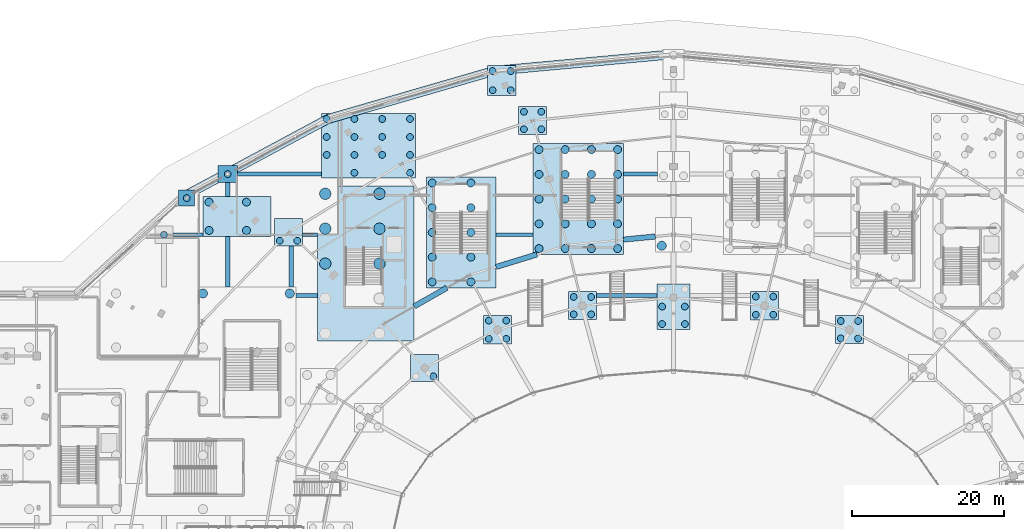
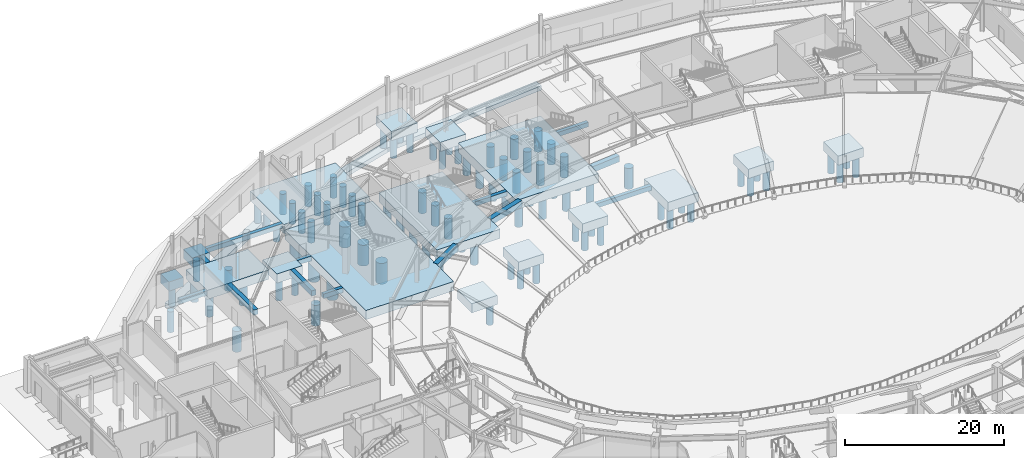
# One storey, part 4 of 93: 91 piles, 32 footings.
"""IFC4 building model written with IfcOpenShell, lengths in metres."""

from ifc_helpers import new_model, si_unit, direction, frame, origin, origin_2d, place, context, subcontext, project, spatial, polyline, rectangle, circle, outline, extrude, material, material_profile, profile_set, type_object, element, save


model = new_model("IFC4")

# Units and contexts
model_context = context("Model", 3, precision=1e-05, world=origin(), true_north=direction((0.0, 1.0)))
body_context = subcontext(model_context, "Body", "Model", "MODEL_VIEW")
ifc_project = project(units=[si_unit("LENGTHUNIT", "METRE"), si_unit("AREAUNIT", "SQUARE_METRE"), si_unit("VOLUMEUNIT", "CUBIC_METRE"), si_unit("PLANEANGLEUNIT", "RADIAN"), si_unit("MASSUNIT", "GRAM", prefix="KILO")], contexts=[model_context])

# Site, building, storey
site_placement = place(None, origin())
site = spatial("IfcSite", under=ifc_project, at=site_placement, CompositionType="ELEMENT")
building_placement = place(site_placement, origin())
building = spatial("IfcBuilding", under=site, at=building_placement, Name="Kalgoora Escarpment Arena", CompositionType="ELEMENT")
storey_placement = place(building_placement, origin())
storey = spatial("IfcBuildingStorey", under=building, at=storey_placement, Name="L00", CompositionType="ELEMENT", Elevation=0.0)

# Footings
ifc_material_1 = material(Name="Concrete N40 (fc' 40 MPa)", Category="concrete")
ifc_material_profile_1 = material_profile(ifc_material_1, rectangle(XDim=0.5, YDim=0.699951171875, at=origin_2d()))
ifc_profile_set_1 = profile_set([ifc_material_profile_1], Name="Concrete N40 (fc' 40 MPa)")
footing_type_1 = type_object("IfcFootingType", Name="FTG-GB700x500", PredefinedType="FOOTING_BEAM", material=ifc_profile_set_1)
footing_1_placement = place(storey_placement, frame((42.639892578125, 96.0, -0.35009765625), z_axis=(1.0, 0.0, 0.0), x_axis=(0.0, 1.0, 0.0)))
element("IfcFooting", 1, at=footing_1_placement, inside=storey, type_object=footing_type_1, Name="Ground tie beam GB-110", PredefinedType="FOOTING_BEAM", context=body_context, shape_type="SweptSolid", body=[
    extrude(rectangle(XDim=0.5, YDim=0.699951171875, at=origin_2d()), origin(), (0.0, 0.0, 1.0), 2.830078125),
])
footing_2_placement = place(storey_placement, frame((82.239990234375, 96.0, -0.35009765625), z_axis=(1.0, 0.0, 0.0), x_axis=(0.0, 1.0, 0.0)))
element("IfcFooting", 2, at=footing_2_placement, inside=storey, type_object=footing_type_1, Name="Ground tie beam GB-111", PredefinedType="FOOTING_BEAM", context=body_context, shape_type="SweptSolid", body=[
    extrude(rectangle(XDim=0.5, YDim=0.699951171875, at=origin_2d()), origin(), (0.0, 0.0, 1.0), 7.9599609375),
])
footing_3_placement = place(storey_placement, frame((26.389892578125, 104.0, -0.35009765625), z_axis=(1.0, 0.0, 0.0), x_axis=(0.0, 1.0, 0.0)))
element("IfcFooting", 3, at=footing_3_placement, inside=storey, type_object=footing_type_1, Name="Ground tie beam GB-114", PredefinedType="FOOTING_BEAM", context=body_context, shape_type="SweptSolid", body=[
    extrude(rectangle(XDim=0.5, YDim=0.699951171875, at=origin_2d()), origin(), (0.0, 0.0, 1.0), 3.980224609375),
])
footing_4_placement = place(storey_placement, frame((43.47998046875, 104.0, -0.35009765625), z_axis=(1.0, 0.0, 0.0), x_axis=(0.0, 1.0, 0.0)))
element("IfcFooting", 4, at=footing_4_placement, inside=storey, type_object=footing_type_1, Name="Ground tie beam GB-115", PredefinedType="FOOTING_BEAM", context=body_context, shape_type="SweptSolid", body=[
    extrude(rectangle(XDim=0.5, YDim=0.699951171875, at=origin_2d()), origin(), (0.0, 0.0, 1.0), 1.989990234375),
])
footing_5_placement = place(storey_placement, frame((69.0, 104.0, -0.35009765625), z_axis=(1.0, 0.0, 0.0), x_axis=(0.0, 1.0, 0.0)))
element("IfcFooting", 5, at=footing_5_placement, inside=storey, type_object=footing_type_1, Name="Ground tie beam GB-116", PredefinedType="FOOTING_BEAM", context=body_context, shape_type="SweptSolid", body=[
    extrude(rectangle(XDim=0.5, YDim=0.699951171875, at=origin_2d()), origin(), (0.0, 0.0, 1.0), 4.889892578125),
])
footing_6_placement = place(storey_placement, frame((34.8701171875, 112.0, -0.35009765625), z_axis=(1.0, 0.0, 0.0), x_axis=(0.0, 1.0, 0.0)))
element("IfcFooting", 6, at=footing_6_placement, inside=storey, type_object=footing_type_1, Name="Ground tie beam GB-120", PredefinedType="FOOTING_BEAM", context=body_context, shape_type="SweptSolid", body=[
    extrude(rectangle(XDim=0.5, YDim=0.699951171875, at=origin_2d()), origin(), (0.0, 0.0, 1.0), 11.079833984375),
])
footing_7_placement = place(storey_placement, frame((85.800048828125, 112.0, -0.35009765625), z_axis=(1.0, 0.0, 0.0), x_axis=(0.0, 1.0, 0.0)))
element("IfcFooting", 7, at=footing_7_placement, inside=storey, type_object=footing_type_1, Name="Ground tie beam GB-121", PredefinedType="FOOTING_BEAM", context=body_context, shape_type="SweptSolid", body=[
    extrude(rectangle(XDim=0.5, YDim=0.699951171875, at=origin_2d()), origin(), (0.0, 0.0, 1.0), 4.5),
])
ifc_material_2 = material(Name="Concrete N40 (fc' 40 MPa)", Category="concrete")
ifc_material_profile_2 = material_profile(ifc_material_2, rectangle(XDim=0.60009765625, YDim=0.800048828125, at=origin_2d()))
ifc_profile_set_2 = profile_set([ifc_material_profile_2], Name="Concrete N40 (fc' 40 MPa)")
footing_type_2 = type_object("IfcFootingType", Name="FTG-GB800x600", PredefinedType="FOOTING_BEAM", material=ifc_profile_set_2)
footing_8_placement = place(storey_placement, frame((33.60009765625, 97.10009765625, -0.39990234375), z_axis=(0.0, 1.0, 0.0), x_axis=(-1.0, 0.0, 0.0)))
element("IfcFooting", 8, at=footing_8_placement, inside=storey, type_object=footing_type_2, Name="Ground tie beam GB-031", PredefinedType="FOOTING_BEAM", context=body_context, shape_type="SweptSolid", body=[
    extrude(rectangle(XDim=0.60009765625, YDim=0.800048828125, at=origin_2d()), origin(), (0.0, 0.0, 1.0), 6.68994140625),
])
footing_9_placement = place(storey_placement, frame((33.60009765625, 109.070068359375, -0.39990234375), z_axis=(0.0, 1.0, 0.0), x_axis=(-1.0, 0.0, 0.0)))
element("IfcFooting", 9, at=footing_9_placement, inside=storey, type_object=footing_type_2, Name="Ground tie beam GB-032", PredefinedType="FOOTING_BEAM", context=body_context, shape_type="SweptSolid", body=[
    extrude(rectangle(XDim=0.60009765625, YDim=0.800048828125, at=origin_2d()), origin(), (0.0, 0.0, 1.0), 1.7900390625),
])
footing_10_placement = place(storey_placement, frame((42.0, 97.10009765625, -0.39990234375), z_axis=(0.0, 1.0, 0.0), x_axis=(-1.0, 0.0, 0.0)))
element("IfcFooting", 10, at=footing_10_placement, inside=storey, type_object=footing_type_2, Name="Ground tie beam GB-035", PredefinedType="FOOTING_BEAM", context=body_context, shape_type="SweptSolid", body=[
    extrude(rectangle(XDim=0.60009765625, YDim=0.800048828125, at=origin_2d()), origin(), (0.0, 0.0, 1.0), 5.409912109375),
])
ifc_material_3 = material(Name="Concrete N40 (fc' 40 MPa)", Category="concrete")
ifc_material_profile_3 = material_profile(ifc_material_3, rectangle(XDim=0.699951171875, YDim=0.89990234375, at=origin_2d()))
ifc_profile_set_3 = profile_set([ifc_material_profile_3], Name="Concrete N40 (fc' 40 MPa)")
footing_type_3 = type_object("IfcFootingType", Name="FTG-GB900x700", PredefinedType="FOOTING_BEAM", material=ifc_profile_set_3)
footing_11_placement = place(storey_placement, frame((90.0, 103.765869140625, -0.449951171875), z_axis=(-0.995276542908, -0.097080395222, 0.0), x_axis=(0.097080395222, -0.995276542908, 0.0)))
element("IfcFooting", 11, at=footing_11_placement, inside=storey, type_object=footing_type_3, Name="Ground tie beam GB-007", PredefinedType="FOOTING_BEAM", context=body_context, shape_type="SweptSolid", body=[
    extrude(rectangle(XDim=0.699951171875, YDim=0.89990234375, at=origin_2d()), origin(), (0.0, 0.0, 1.0), 4.219970703125),
])
footing_12_placement = place(storey_placement, frame((74.39208984375, 101.39990234375, -0.449951171875), z_axis=(-0.956018286306, -0.293307068188, 0.0), x_axis=(0.293307068188, -0.956018286306, 0.0)))
element("IfcFooting", 12, at=footing_12_placement, inside=storey, type_object=footing_type_3, Name="Ground tie beam GB-008", PredefinedType="FOOTING_BEAM", context=body_context, shape_type="SweptSolid", body=[
    extrude(rectangle(XDim=0.699951171875, YDim=0.89990234375, at=origin_2d()), origin(), (0.0, 0.0, 1.0), 5.64013671875),
])
footing_13_placement = place(storey_placement, frame((62.512939453125, 97.0, -0.449951171875), z_axis=(-0.86938256602, -0.494139609726, 0.0), x_axis=(0.494139609726, -0.86938256602, 0.0)))
element("IfcFooting", 13, at=footing_13_placement, inside=storey, type_object=footing_type_3, Name="Ground tie beam GB-009", PredefinedType="FOOTING_BEAM", context=body_context, shape_type="SweptSolid", body=[
    extrude(rectangle(XDim=0.699951171875, YDim=0.89990234375, at=origin_2d()), origin(), (0.0, 0.0, 1.0), 4.9609375),
])
ifc_material_4 = material(Name="Concrete N40 (fc' 40 MPa)", Category="concrete")
footing_type_4 = type_object("IfcFootingType", Name="FTG-PC-1191x1460", PredefinedType="PILE_CAP", material=ifc_material_4)
footing_14_placement = place(storey_placement, frame((79.844970703125, 108.699951171875, -1.39990234375), z_axis=(0.0, 0.0, 1.0), x_axis=(1.0, 0.0, 0.0)))
element("IfcFooting", 14, at=footing_14_placement, inside=storey, type_object=footing_type_4, Name="Pile cap FND-ST-ST10", PredefinedType="PILE_CAP", context=body_context, shape_type="SweptSolid", body=[
    extrude(rectangle(XDim=11.909912109375, YDim=14.60009765625, at=origin_2d()), origin(), (0.0, 0.0, 1.0), 1.39990234375),
])
ifc_material_5 = material(Name="Concrete N40 (fc' 40 MPa)", Category="concrete")
footing_type_5 = type_object("IfcFootingType", Name="FTG-PC-1240x850", PredefinedType="PILE_CAP", material=ifc_material_5)
footing_15_placement = place(storey_placement, frame((52.14990234375, 115.7099609375, -1.39990234375), z_axis=(0.0, 0.0, 1.0), x_axis=(1.0, 0.0, 0.0)))
element("IfcFooting", 15, at=footing_15_placement, inside=storey, type_object=footing_type_5, Name="Pile cap FND-COL-RCONC2-R09", PredefinedType="PILE_CAP", context=body_context, shape_type="SweptSolid", body=[
    extrude(rectangle(XDim=12.39990234375, YDim=8.5, at=origin_2d()), origin(), (0.0, 0.0, 1.0), 1.39990234375),
])
ifc_material_6 = material(Name="Concrete N40 (fc' 40 MPa)", Category="concrete")
footing_type_6 = type_object("IfcFootingType", Name="FTG-PC-1273x2042", PredefinedType="PILE_CAP", material=ifc_material_6)
footing_16_placement = place(storey_placement, frame((51.8349609375, 100.18994140625, -1.39990234375), z_axis=(0.0, 0.0, 1.0), x_axis=(1.0, 0.0, 0.0)))
element("IfcFooting", 16, at=footing_16_placement, inside=storey, type_object=footing_type_6, Name="Pile cap FND-RAFT-C3", PredefinedType="PILE_CAP", context=body_context, shape_type="SweptSolid", body=[
    extrude(rectangle(XDim=12.72998046875, YDim=20.419921875, at=origin_2d()), origin(), (0.0, 0.0, 1.0), 1.39990234375),
])
ifc_material_7 = material(Name="Concrete N40 (fc' 40 MPa)", Category="concrete")
footing_type_7 = type_object("IfcFootingType", Name="FTG-PC-211x210", PredefinedType="PILE_CAP", material=ifc_material_7)
footing_17_placement = place(storey_placement, frame((28.195068359375, 108.830078125, -1.39990234375), z_axis=(0.0, 0.0, 1.0), x_axis=(1.0, 0.0, 0.0)))
element("IfcFooting", 17, at=footing_17_placement, inside=storey, type_object=footing_type_7, Name="Pile cap FND-PIL-031", PredefinedType="PILE_CAP", context=body_context, shape_type="SweptSolid", body=[
    extrude(rectangle(XDim=2.110107421875, YDim=2.10009765625, at=origin_2d()), origin(), (0.0, 0.0, 1.0), 1.39990234375),
])
ifc_material_8 = material(Name="Concrete N40 (fc' 40 MPa)", Category="concrete")
footing_type_8 = type_object("IfcFootingType", Name="FTG-PC-254x228", PredefinedType="PILE_CAP", material=ifc_material_8)
footing_18_placement = place(storey_placement, frame((33.60009765625, 112.0, -1.39990234375), z_axis=(0.0, 0.0, 1.0), x_axis=(1.0, 0.0, 0.0)))
element("IfcFooting", 18, at=footing_18_placement, inside=storey, type_object=footing_type_8, Name="Pile cap FND-COL-G5-Q", PredefinedType="PILE_CAP", context=body_context, shape_type="SweptSolid", body=[
    extrude(rectangle(XDim=2.5400390625, YDim=2.280029296875, at=origin_2d()), origin(), (0.0, 0.0, 1.0), 1.39990234375),
])
ifc_material_9 = material(Name="Concrete N40 (fc' 40 MPa)", Category="concrete")
footing_type_9 = type_object("IfcFootingType", Name="FTG-PC-369x370", PredefinedType="PILE_CAP", material=ifc_material_9)
footing_19_placement = place(storey_placement, frame((115.60498046875, 91.469970703125, -1.39990234375), z_axis=(0.0, 0.0, 1.0), x_axis=(1.0, 0.0, 0.0)))
element("IfcFooting", 19, at=footing_19_placement, inside=storey, type_object=footing_type_9, Name="Pile cap FND-COL-RMID-R05", PredefinedType="PILE_CAP", context=body_context, shape_type="SweptSolid", body=[
    extrude(rectangle(XDim=3.68994140625, YDim=3.699951171875, at=origin_2d()), origin(), (0.0, 0.0, 1.0), 1.39990234375),
])
ifc_material_10 = material(Name="Concrete N40 (fc' 40 MPa)", Category="concrete")
footing_type_10 = type_object("IfcFootingType", Name="FTG-PC-370x360", PredefinedType="PILE_CAP", material=ifc_material_10)
for number, where, z_axis, x_axis, name in (
    (20, (59.580078125, 86.429931640625, -1.39990234375), (0.0, 0.0, 1.0), (1.0, 0.0, 0.0), "Pile cap FND-COL-RMID-R10"),
    (21, (41.6298828125, 104.31005859375, -1.39990234375), (0.0, 0.0, 1.0), (1.0, 0.0, 0.0), "Pile cap FND-COL-RCONC2-R10"),
):
    element("IfcFooting", number, at=place(storey_placement, frame(where, z_axis=z_axis, x_axis=x_axis)), inside=storey, type_object=footing_type_10, Name=name, PredefinedType="PILE_CAP", context=body_context, shape_type="SweptSolid", body=[
        extrude(rectangle(XDim=3.699951171875, YDim=3.60009765625, at=origin_2d()), origin(), (0.0, 0.0, 1.0), 1.39990234375),
    ])
ifc_material_11 = material(Name="Concrete N40 (fc' 40 MPa)", Category="concrete")
footing_type_11 = type_object("IfcFootingType", Name="FTG-PC-370x370", PredefinedType="PILE_CAP", material=ifc_material_11)
for number, where, z_axis, x_axis, name in (
    (22, (80.389892578125, 94.639892578125, -1.39990234375), (0.0, 0.0, 1.0), (1.0, 0.0, 0.0), "Pile cap FND-COL-RMID-R08"),
    (23, (73.820068359375, 119.06005859375, -1.39990234375), (0.0, 0.0, 1.0), (1.0, 0.0, 0.0), "Pile cap FND-COL-RCONC2-R08"),
):
    element("IfcFooting", number, at=place(storey_placement, frame(where, z_axis=z_axis, x_axis=x_axis)), inside=storey, type_object=footing_type_11, Name=name, PredefinedType="PILE_CAP", context=body_context, shape_type="SweptSolid", body=[
        extrude(rectangle(XDim=3.699951171875, YDim=3.699951171875, at=origin_2d()), origin(), (0.0, 0.0, 1.0), 1.39990234375),
    ])
ifc_material_12 = material(Name="Concrete N40 (fc' 40 MPa)", Category="concrete")
footing_type_12 = type_object("IfcFootingType", Name="FTG-PC-370x380", PredefinedType="PILE_CAP", material=ifc_material_12)
for number, where, z_axis, x_axis, name in (
    (24, (104.409912109375, 94.639892578125, -1.39990234375), (0.0, 0.0, 1.0), (1.0, 0.0, 0.0), "Pile cap FND-COL-RMID-R06"),
    (25, (69.18994140625, 91.469970703125, -1.39990234375), (0.0, 0.0, 1.0), (1.0, 0.0, 0.0), "Pile cap FND-COL-RMID-R09"),
):
    element("IfcFooting", number, at=place(storey_placement, frame(where, z_axis=z_axis, x_axis=x_axis)), inside=storey, type_object=footing_type_12, Name=name, PredefinedType="PILE_CAP", context=body_context, shape_type="SweptSolid", body=[
        extrude(rectangle(XDim=3.699951171875, YDim=3.800048828125, at=origin_2d()), origin(), (0.0, 0.0, 1.0), 1.39990234375),
    ])
ifc_material_13 = material(Name="Concrete N40 (fc' 40 MPa)", Category="concrete")
footing_type_13 = type_object("IfcFootingType", Name="FTG-PC-378x393", PredefinedType="PILE_CAP", material=ifc_material_13)
footing_20_placement = place(storey_placement, frame((69.739990234375, 124.324951171875, -1.39990234375), z_axis=(0.0, 0.0, 1.0), x_axis=(1.0, 0.0, 0.0)))
element("IfcFooting", 26, at=footing_20_placement, inside=storey, type_object=footing_type_13, Name="Pile cap FND-COL-RBASE2-R08", PredefinedType="PILE_CAP", context=body_context, shape_type="SweptSolid", body=[
    extrude(rectangle(XDim=3.780029296875, YDim=3.929931640625, at=origin_2d()), origin(), (0.0, 0.0, 1.0), 1.39990234375),
])
ifc_material_14 = material(Name="Concrete N40 (fc' 40 MPa)", Category="concrete")
footing_type_14 = type_object("IfcFootingType", Name="FTG-PC-440x600", PredefinedType="PILE_CAP", material=ifc_material_14)
footing_21_placement = place(storey_placement, frame((92.39990234375, 94.52001953125, -1.39990234375), z_axis=(0.0, 0.0, 1.0), x_axis=(1.0, 0.0, 0.0)))
element("IfcFooting", 27, at=footing_21_placement, inside=storey, type_object=footing_type_14, Name="Pile cap FND-COL-RMID-R07", PredefinedType="PILE_CAP", context=body_context, shape_type="SweptSolid", body=[
    extrude(rectangle(XDim=4.39990234375, YDim=6.0, at=origin_2d()), origin(), (0.0, 0.0, 1.0), 1.39990234375),
])
ifc_material_15 = material(Name="Concrete N40 (fc' 40 MPa)", Category="concrete")
footing_type_15 = type_object("IfcFootingType", Name="FTG-PC-895x528", PredefinedType="PILE_CAP", material=ifc_material_15)
footing_22_placement = place(storey_placement, frame((34.844970703125, 106.429931640625, -1.39990234375), z_axis=(0.0, 0.0, 1.0), x_axis=(1.0, 0.0, 0.0)))
element("IfcFooting", 28, at=footing_22_placement, inside=storey, type_object=footing_type_15, Name="Pile cap FND-COL-RBASE1-R10", PredefinedType="PILE_CAP", context=body_context, shape_type="SweptSolid", body=[
    extrude(rectangle(XDim=8.949951171875, YDim=5.280029296875, at=origin_2d()), origin(), (0.0, 0.0, 1.0), 1.39990234375),
])
ifc_material_16 = material(Name="Concrete N40 (fc' 40 MPa)", Category="concrete")
footing_type_16 = type_object("IfcFootingType", Name="FTG-PC-920x1460", PredefinedType="PILE_CAP", material=ifc_material_16)
footing_23_placement = place(storey_placement, frame((64.39990234375, 104.300048828125, -1.39990234375), z_axis=(0.0, 0.0, 1.0), x_axis=(1.0, 0.0, 0.0)))
element("IfcFooting", 29, at=footing_23_placement, inside=storey, type_object=footing_type_16, Name="Pile cap FND-ST-ST09", PredefinedType="PILE_CAP", context=body_context, shape_type="SweptSolid", body=[
    extrude(rectangle(XDim=9.199951171875, YDim=14.60009765625, at=origin_2d()), origin(), (0.0, 0.0, 1.0), 1.39990234375),
])
ifc_material_17 = material(Name="Concrete N40 (fc' 40 MPa)", Category="concrete")
footing_type_17 = type_object("IfcFootingType", Name="FTG-STRIP-1200", PredefinedType="STRIP_FOOTING", material=ifc_material_17)
footing_24_placement = place(storey_placement, frame((0.0, 0.0, -5.14990234375)))
element("IfcFooting", 30, at=footing_24_placement, inside=storey, type_object=footing_type_17, Name="Escarpment retaining strip footing SF-12", PredefinedType="STRIP_FOOTING", context=body_context, shape_type="SweptSolid", body=[
    extrude(outline(polyline([(28.19580078125, 108.584716796875), (47.083740234375, 118.7236328125), (46.51611328125, 119.781005859375), (27.628173828125, 109.64208984375), (28.19580078125, 108.584716796875)])), origin(), (0.0, 0.0, 1.0), 0.64990234375),
])
footing_25_placement = place(storey_placement, frame((0.0, 0.0, -5.14990234375)))
element("IfcFooting", 31, at=footing_25_placement, inside=storey, type_object=footing_type_17, Name="Escarpment retaining strip footing SF-13", PredefinedType="STRIP_FOOTING", context=body_context, shape_type="SweptSolid", body=[
    extrude(outline(polyline([(46.967041015625, 118.676025390625), (68.962646484375, 125.0498046875), (68.628662109375, 126.202392578125), (46.633056640625, 119.82861328125), (46.967041015625, 118.676025390625)])), origin(), (0.0, 0.0, 1.0), 0.64990234375),
])
footing_26_placement = place(storey_placement, frame((0.0, 0.0, -5.14990234375)))
element("IfcFooting", 32, at=footing_26_placement, inside=storey, type_object=footing_type_17, Name="Escarpment retaining strip footing SF-14", PredefinedType="STRIP_FOOTING", context=body_context, shape_type="SweptSolid", body=[
    extrude(outline(polyline([(68.8505859375, 125.028564453125), (92.455078125, 127.202392578125), (92.344970703125, 128.3974609375), (68.74072265625, 126.2236328125), (68.8505859375, 125.028564453125)])), origin(), (0.0, 0.0, 1.0), 0.64990234375),
])

# Piles
ifc_material_18 = material(Name="Concrete N50 (fc' 50 MPa)", Category="concrete")
ifc_material_profile_4 = material_profile(ifc_material_18, circle(Radius=0.52490234375, at=origin_2d()))
ifc_profile_set_4 = profile_set([ifc_material_profile_4], Name="Concrete N50 (fc' 50 MPa)")
pile_type_1 = type_object("IfcPileType", Name="PIL-PILE-1050", PredefinedType="BORED", material=ifc_profile_set_4)
for number, where, z_axis, x_axis, name in (
    (33, (60.574951171875, 97.77490234375, -1.300048828125), (0.0, 0.0, -1.0), (1.0, 0.0, 0.0), "Bored pile FND-ST-ST09 P01"),
    (34, (60.574951171875, 101.03759765625, -1.300048828125), (0.0, 0.0, -1.0), (1.0, 0.0, 0.0), "Bored pile FND-ST-ST09 P02"),
    (35, (60.574951171875, 104.300048828125, -1.300048828125), (0.0, 0.0, -1.0), (1.0, 0.0, 0.0), "Bored pile FND-ST-ST09 P03"),
    (36, (60.574951171875, 107.5625, -1.300048828125), (0.0, 0.0, -1.0), (1.0, 0.0, 0.0), "Bored pile FND-ST-ST09 P04"),
    (37, (60.574951171875, 110.824951171875, -1.300048828125), (0.0, 0.0, -1.0), (1.0, 0.0, 0.0), "Bored pile FND-ST-ST09 P05"),
    (38, (65.675048828125, 97.77490234375, -1.300048828125), (0.0, 0.0, -1.0), (1.0, 0.0, 0.0), "Bored pile FND-ST-ST09 P06"),
    (39, (65.675048828125, 101.03759765625, -1.300048828125), (0.0, 0.0, -1.0), (1.0, 0.0, 0.0), "Bored pile FND-ST-ST09 P07"),
    (40, (65.675048828125, 104.300048828125, -1.300048828125), (0.0, 0.0, -1.0), (1.0, 0.0, 0.0), "Bored pile FND-ST-ST09 P08"),
    (41, (65.675048828125, 107.5625, -1.300048828125), (0.0, 0.0, -1.0), (1.0, 0.0, 0.0), "Bored pile FND-ST-ST09 P09"),
    (42, (65.675048828125, 110.824951171875, -1.300048828125), (0.0, 0.0, -1.0), (1.0, 0.0, 0.0), "Bored pile FND-ST-ST09 P10"),
    (43, (74.6650390625, 102.175048828125, -1.300048828125), (0.0, 0.0, -1.0), (1.0, 0.0, 0.0), "Bored pile FND-ST-ST10 P01"),
    (44, (74.6650390625, 105.4375, -1.300048828125), (0.0, 0.0, -1.0), (1.0, 0.0, 0.0), "Bored pile FND-ST-ST10 P02"),
    (45, (74.6650390625, 108.699951171875, -1.300048828125), (0.0, 0.0, -1.0), (1.0, 0.0, 0.0), "Bored pile FND-ST-ST10 P03"),
    (46, (74.6650390625, 111.96240234375, -1.300048828125), (0.0, 0.0, -1.0), (1.0, 0.0, 0.0), "Bored pile FND-ST-ST10 P04"),
    (47, (74.6650390625, 115.22509765625, -1.300048828125), (0.0, 0.0, -1.0), (1.0, 0.0, 0.0), "Bored pile FND-ST-ST10 P05"),
    (48, (78.118408203125, 102.175048828125, -1.300048828125), (0.0, 0.0, -1.0), (1.0, 0.0, 0.0), "Bored pile FND-ST-ST10 P06"),
    (49, (78.118408203125, 105.4375, -1.300048828125), (0.0, 0.0, -1.0), (1.0, 0.0, 0.0), "Bored pile FND-ST-ST10 P07"),
    (50, (78.118408203125, 108.699951171875, -1.300048828125), (0.0, 0.0, -1.0), (1.0, 0.0, 0.0), "Bored pile FND-ST-ST10 P08"),
    (51, (78.118408203125, 111.96240234375, -1.300048828125), (0.0, 0.0, -1.0), (1.0, 0.0, 0.0), "Bored pile FND-ST-ST10 P09"),
    (52, (78.118408203125, 115.22509765625, -1.300048828125), (0.0, 0.0, -1.0), (1.0, 0.0, 0.0), "Bored pile FND-ST-ST10 P10"),
    (53, (81.57177734375, 102.175048828125, -1.300048828125), (0.0, 0.0, -1.0), (1.0, 0.0, 0.0), "Bored pile FND-ST-ST10 P11"),
    (54, (81.57177734375, 105.4375, -1.300048828125), (0.0, 0.0, -1.0), (1.0, 0.0, 0.0), "Bored pile FND-ST-ST10 P12"),
    (55, (81.57177734375, 108.699951171875, -1.300048828125), (0.0, 0.0, -1.0), (1.0, 0.0, 0.0), "Bored pile FND-ST-ST10 P13"),
    (56, (81.57177734375, 111.96240234375, -1.300048828125), (0.0, 0.0, -1.0), (1.0, 0.0, 0.0), "Bored pile FND-ST-ST10 P14"),
    (57, (81.57177734375, 115.22509765625, -1.300048828125), (0.0, 0.0, -1.0), (1.0, 0.0, 0.0), "Bored pile FND-ST-ST10 P15"),
    (58, (85.02490234375, 102.175048828125, -1.300048828125), (0.0, 0.0, -1.0), (1.0, 0.0, 0.0), "Bored pile FND-ST-ST10 P16"),
    (59, (85.02490234375, 105.4375, -1.300048828125), (0.0, 0.0, -1.0), (1.0, 0.0, 0.0), "Bored pile FND-ST-ST10 P17"),
    (60, (85.02490234375, 108.699951171875, -1.300048828125), (0.0, 0.0, -1.0), (1.0, 0.0, 0.0), "Bored pile FND-ST-ST10 P18"),
    (61, (85.02490234375, 111.96240234375, -1.300048828125), (0.0, 0.0, -1.0), (1.0, 0.0, 0.0), "Bored pile FND-ST-ST10 P19"),
    (62, (85.02490234375, 115.22509765625, -1.300048828125), (0.0, 0.0, -1.0), (1.0, 0.0, 0.0), "Bored pile FND-ST-ST10 P20"),
    (63, (31.14501953125, 104.56494140625, -1.300048828125), (0.0, 0.0, -1.0), (1.0, 0.0, 0.0), "Bored pile FND-COL-RBASE1-R10 P01"),
    (64, (31.14501953125, 108.294921875, -1.300048828125), (0.0, 0.0, -1.0), (1.0, 0.0, 0.0), "Bored pile FND-COL-RBASE1-R10 P02"),
    (65, (36.078369140625, 104.56494140625, -1.300048828125), (0.0, 0.0, -1.0), (1.0, 0.0, 0.0), "Bored pile FND-COL-RBASE1-R10 P03"),
    (66, (36.078369140625, 108.294921875, -1.300048828125), (0.0, 0.0, -1.0), (1.0, 0.0, 0.0), "Bored pile FND-COL-RBASE1-R10 P04"),
):
    element("IfcPile", number, at=place(storey_placement, frame(where, z_axis=z_axis, x_axis=x_axis)), inside=storey, type_object=pile_type_1, Name=name, PredefinedType="BORED", context=body_context, shape_type="SweptSolid", body=[
        extrude(circle(Radius=0.52490234375, at=origin_2d()), origin(), (0.0, 0.0, 1.0), 3.199951171875),
    ])
ifc_material_19 = material(Name="Concrete N50 (fc' 50 MPa)", Category="concrete")
ifc_material_profile_5 = material_profile(ifc_material_19, circle(Radius=0.60009765625, at=origin_2d()))
ifc_profile_set_5 = profile_set([ifc_material_profile_5], Name="Concrete N50 (fc' 50 MPa)")
pile_type_2 = type_object("IfcPileType", Name="PIL-PILE-1200", PredefinedType="BORED", material=ifc_profile_set_5)
for number, where, z_axis, x_axis, name in (
    (67, (30.336669921875, 96.25, -1.300048828125), (0.0, 0.0, -1.0), (1.0, 0.0, 0.0), "Bored pile FND-RAFT-C1 P15"),
    (68, (41.7900390625, 96.25, -1.300048828125), (0.0, 0.0, -1.0), (1.0, 0.0, 0.0), "Bored pile FND-RAFT-C1 P20"),
    (69, (90.85009765625, 102.550048828125, -1.300048828125), (0.0, 0.0, -1.0), (1.0, 0.0, 0.0), "Bored pile FND-COL-RMAIN-R07 P01"),
):
    element("IfcPile", number, at=place(storey_placement, frame(where, z_axis=z_axis, x_axis=x_axis)), inside=storey, type_object=pile_type_2, Name=name, PredefinedType="BORED", context=body_context, shape_type="SweptSolid", body=[
        extrude(circle(Radius=0.60009765625, at=origin_2d()), origin(), (0.0, 0.0, 1.0), 3.199951171875),
    ])
ifc_material_20 = material(Name="Concrete N50 (fc' 50 MPa)", Category="concrete")
ifc_material_profile_6 = material_profile(ifc_material_20, circle(Radius=0.75, at=origin_2d()))
ifc_profile_set_6 = profile_set([ifc_material_profile_6], Name="Concrete N50 (fc' 50 MPa)")
pile_type_3 = type_object("IfcPileType", Name="PIL-PILE-1500", PredefinedType="BORED", material=ifc_profile_set_6)
for number, where, z_axis, x_axis, name in (
    (70, (46.469970703125, 100.18994140625, -1.300048828125), (0.0, 0.0, -1.0), (1.0, 0.0, 0.0), "Bored pile FND-RAFT-C3 P03"),
    (71, (46.469970703125, 104.794921875, -1.300048828125), (0.0, 0.0, -1.0), (1.0, 0.0, 0.0), "Bored pile FND-RAFT-C3 P04"),
    (72, (46.469970703125, 109.39990234375, -1.300048828125), (0.0, 0.0, -1.0), (1.0, 0.0, 0.0), "Bored pile FND-RAFT-C3 P05"),
    (73, (53.623291015625, 100.18994140625, -1.300048828125), (0.0, 0.0, -1.0), (1.0, 0.0, 0.0), "Bored pile FND-RAFT-C3 P08"),
    (74, (53.623291015625, 104.794921875, -1.300048828125), (0.0, 0.0, -1.0), (1.0, 0.0, 0.0), "Bored pile FND-RAFT-C3 P09"),
    (75, (53.623291015625, 109.39990234375, -1.300048828125), (0.0, 0.0, -1.0), (1.0, 0.0, 0.0), "Bored pile FND-RAFT-C3 P10"),
):
    element("IfcPile", number, at=place(storey_placement, frame(where, z_axis=z_axis, x_axis=x_axis)), inside=storey, type_object=pile_type_3, Name=name, PredefinedType="BORED", context=body_context, shape_type="SweptSolid", body=[
        extrude(circle(Radius=0.75, at=origin_2d()), origin(), (0.0, 0.0, 1.0), 3.199951171875),
    ])
ifc_material_21 = material(Name="Concrete N50 (fc' 50 MPa)", Category="concrete")
ifc_material_profile_7 = material_profile(ifc_material_21, circle(Radius=0.449951171875, at=origin_2d()))
ifc_profile_set_7 = profile_set([ifc_material_profile_7], Name="Concrete N50 (fc' 50 MPa)")
pile_type_4 = type_object("IfcPileType", Name="PIL-PILE-900", PredefinedType="BORED", material=ifc_profile_set_7)
for number, where, z_axis, x_axis, name in (
    (76, (114.4599609375, 90.320068359375, -1.300048828125), (0.0, 0.0, -1.0), (1.0, 0.0, 0.0), "Bored pile FND-COL-RMID-R05 P01"),
    (77, (114.4599609375, 92.6201171875, -1.300048828125), (0.0, 0.0, -1.0), (1.0, 0.0, 0.0), "Bored pile FND-COL-RMID-R05 P02"),
    (78, (116.75, 90.320068359375, -1.300048828125), (0.0, 0.0, -1.0), (1.0, 0.0, 0.0), "Bored pile FND-COL-RMID-R05 P03"),
    (79, (116.75, 92.6201171875, -1.300048828125), (0.0, 0.0, -1.0), (1.0, 0.0, 0.0), "Bored pile FND-COL-RMID-R05 P04"),
    (80, (103.260009765625, 93.43994140625, -1.300048828125), (0.0, 0.0, -1.0), (1.0, 0.0, 0.0), "Bored pile FND-COL-RMID-R06 P01"),
    (81, (103.260009765625, 95.840087890625, -1.300048828125), (0.0, 0.0, -1.0), (1.0, 0.0, 0.0), "Bored pile FND-COL-RMID-R06 P02"),
    (82, (105.56005859375, 93.43994140625, -1.300048828125), (0.0, 0.0, -1.0), (1.0, 0.0, 0.0), "Bored pile FND-COL-RMID-R06 P03"),
    (83, (105.56005859375, 95.840087890625, -1.300048828125), (0.0, 0.0, -1.0), (1.0, 0.0, 0.0), "Bored pile FND-COL-RMID-R06 P04"),
    (84, (90.89990234375, 92.219970703125, -1.300048828125), (0.0, 0.0, -1.0), (1.0, 0.0, 0.0), "Bored pile FND-COL-RMID-R07 P01"),
    (85, (90.89990234375, 94.52001953125, -1.300048828125), (0.0, 0.0, -1.0), (1.0, 0.0, 0.0), "Bored pile FND-COL-RMID-R07 P02"),
    (86, (93.89990234375, 92.219970703125, -1.300048828125), (0.0, 0.0, -1.0), (1.0, 0.0, 0.0), "Bored pile FND-COL-RMID-R07 P04"),
    (87, (93.89990234375, 94.52001953125, -1.300048828125), (0.0, 0.0, -1.0), (1.0, 0.0, 0.0), "Bored pile FND-COL-RMID-R07 P05"),
    (88, (79.239990234375, 93.489990234375, -1.300048828125), (0.0, 0.0, -1.0), (1.0, 0.0, 0.0), "Bored pile FND-COL-RMID-R08 P01"),
    (89, (79.239990234375, 95.7900390625, -1.300048828125), (0.0, 0.0, -1.0), (1.0, 0.0, 0.0), "Bored pile FND-COL-RMID-R08 P02"),
    (90, (81.5400390625, 93.489990234375, -1.300048828125), (0.0, 0.0, -1.0), (1.0, 0.0, 0.0), "Bored pile FND-COL-RMID-R08 P03"),
    (91, (81.5400390625, 95.7900390625, -1.300048828125), (0.0, 0.0, -1.0), (1.0, 0.0, 0.0), "Bored pile FND-COL-RMID-R08 P04"),
    (92, (68.0400390625, 90.27001953125, -1.300048828125), (0.0, 0.0, -1.0), (1.0, 0.0, 0.0), "Bored pile FND-COL-RMID-R09 P01"),
    (93, (68.0400390625, 92.669921875, -1.300048828125), (0.0, 0.0, -1.0), (1.0, 0.0, 0.0), "Bored pile FND-COL-RMID-R09 P02"),
    (94, (70.340087890625, 90.27001953125, -1.300048828125), (0.0, 0.0, -1.0), (1.0, 0.0, 0.0), "Bored pile FND-COL-RMID-R09 P03"),
    (95, (70.340087890625, 92.669921875, -1.300048828125), (0.0, 0.0, -1.0), (1.0, 0.0, 0.0), "Bored pile FND-COL-RMID-R09 P04"),
    (96, (60.72998046875, 85.330078125, -1.300048828125), (0.0, 0.0, -1.0), (1.0, 0.0, 0.0), "Bored pile FND-COL-RMID-R10 P02"),
    (97, (72.669921875, 117.909912109375, -1.300048828125), (0.0, 0.0, -1.0), (1.0, 0.0, 0.0), "Bored pile FND-COL-RCONC2-R08 P01"),
    (98, (72.669921875, 120.2099609375, -1.300048828125), (0.0, 0.0, -1.0), (1.0, 0.0, 0.0), "Bored pile FND-COL-RCONC2-R08 P02"),
    (99, (74.969970703125, 117.909912109375, -1.300048828125), (0.0, 0.0, -1.0), (1.0, 0.0, 0.0), "Bored pile FND-COL-RCONC2-R08 P03"),
    (100, (74.969970703125, 120.2099609375, -1.300048828125), (0.0, 0.0, -1.0), (1.0, 0.0, 0.0), "Bored pile FND-COL-RCONC2-R08 P04"),
    (101, (46.64990234375, 114.526611328125, -1.300048828125), (0.0, 0.0, -1.0), (1.0, 0.0, 0.0), "Bored pile FND-COL-RCONC2-R09 P01"),
    (102, (46.64990234375, 116.893310546875, -1.300048828125), (0.0, 0.0, -1.0), (1.0, 0.0, 0.0), "Bored pile FND-COL-RCONC2-R09 P02"),
    (103, (46.64990234375, 119.260009765625, -1.300048828125), (0.0, 0.0, -1.0), (1.0, 0.0, 0.0), "Bored pile FND-COL-RCONC2-R09 P03"),
    (104, (50.316650390625, 112.159912109375, -1.300048828125), (0.0, 0.0, -1.0), (1.0, 0.0, 0.0), "Bored pile FND-COL-RCONC2-R09 P04"),
    (105, (50.316650390625, 114.526611328125, -1.300048828125), (0.0, 0.0, -1.0), (1.0, 0.0, 0.0), "Bored pile FND-COL-RCONC2-R09 P05"),
    (106, (50.316650390625, 116.893310546875, -1.300048828125), (0.0, 0.0, -1.0), (1.0, 0.0, 0.0), "Bored pile FND-COL-RCONC2-R09 P06"),
    (107, (50.316650390625, 119.260009765625, -1.300048828125), (0.0, 0.0, -1.0), (1.0, 0.0, 0.0), "Bored pile FND-COL-RCONC2-R09 P07"),
    (108, (53.9833984375, 114.526611328125, -1.300048828125), (0.0, 0.0, -1.0), (1.0, 0.0, 0.0), "Bored pile FND-COL-RCONC2-R09 P08"),
    (109, (53.9833984375, 116.893310546875, -1.300048828125), (0.0, 0.0, -1.0), (1.0, 0.0, 0.0), "Bored pile FND-COL-RCONC2-R09 P09"),
    (110, (53.9833984375, 119.260009765625, -1.300048828125), (0.0, 0.0, -1.0), (1.0, 0.0, 0.0), "Bored pile FND-COL-RCONC2-R09 P10"),
    (111, (57.64990234375, 112.159912109375, -1.300048828125), (0.0, 0.0, -1.0), (1.0, 0.0, 0.0), "Bored pile FND-COL-RCONC2-R09 P11"),
    (112, (57.64990234375, 114.526611328125, -1.300048828125), (0.0, 0.0, -1.0), (1.0, 0.0, 0.0), "Bored pile FND-COL-RCONC2-R09 P12"),
    (113, (57.64990234375, 116.893310546875, -1.300048828125), (0.0, 0.0, -1.0), (1.0, 0.0, 0.0), "Bored pile FND-COL-RCONC2-R09 P13"),
    (114, (57.64990234375, 119.260009765625, -1.300048828125), (0.0, 0.0, -1.0), (1.0, 0.0, 0.0), "Bored pile FND-COL-RCONC2-R09 P14"),
    (115, (40.47998046875, 103.2099609375, -1.300048828125), (0.0, 0.0, -1.0), (1.0, 0.0, 0.0), "Bored pile FND-COL-RCONC2-R10 P01"),
    (116, (42.780029296875, 103.2099609375, -1.300048828125), (0.0, 0.0, -1.0), (1.0, 0.0, 0.0), "Bored pile FND-COL-RCONC2-R10 P02"),
    (117, (68.550048828125, 123.06005859375, -1.300048828125), (0.0, 0.0, -1.0), (1.0, 0.0, 0.0), "Bored pile FND-COL-RBASE2-R08 P01"),
    (118, (68.550048828125, 125.590087890625, -1.300048828125), (0.0, 0.0, -1.0), (1.0, 0.0, 0.0), "Bored pile FND-COL-RBASE2-R08 P02"),
    (119, (70.929931640625, 123.06005859375, -1.300048828125), (0.0, 0.0, -1.0), (1.0, 0.0, 0.0), "Bored pile FND-COL-RBASE2-R08 P03"),
    (120, (70.929931640625, 125.590087890625, -1.300048828125), (0.0, 0.0, -1.0), (1.0, 0.0, 0.0), "Bored pile FND-COL-RBASE2-R08 P04"),
    (121, (25.199951171875, 104.0, -1.300048828125), (0.0, 0.0, -1.0), (1.0, 0.0, 0.0), "Bored pile FND-COL-G4-P P01"),
    (122, (33.60009765625, 112.0, -1.300048828125), (0.0, 0.0, -1.0), (1.0, 0.0, 0.0), "Bored pile FND-COL-G5-Q P01"),
    (123, (28.195068359375, 108.830078125, -1.300048828125), (0.0, 0.0, -1.0), (1.0, 0.0, 0.0), "Bored pile FND-PIL-031 P01"),
):
    element("IfcPile", number, at=place(storey_placement, frame(where, z_axis=z_axis, x_axis=x_axis)), inside=storey, type_object=pile_type_4, Name=name, PredefinedType="BORED", context=body_context, shape_type="SweptSolid", body=[
        extrude(circle(Radius=0.449951171875, at=origin_2d()), origin(), (0.0, 0.0, 1.0), 3.199951171875),
    ])

save(model, "model.ifc")
